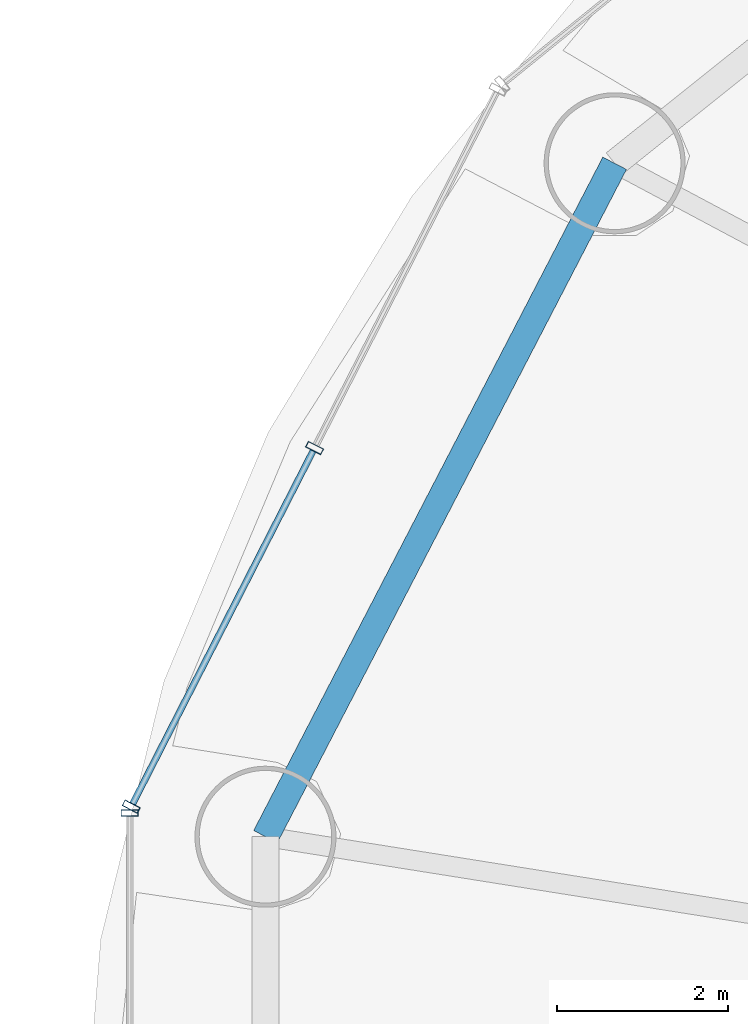
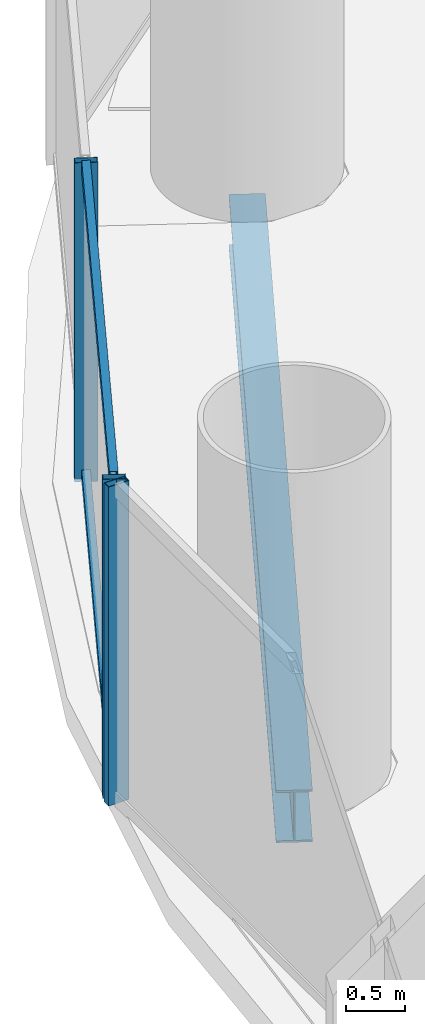
# One storey, part 8 of 29: 5 members, 1 beam, 2 elements without a shape of their own.
"""IFC4 building model written with IfcOpenShell, lengths in metres."""

from ifc_helpers import new_model, si_unit, direction, frame, origin, origin_2d, place, context, subcontext, project, spatial, hollow_rectangle, i_section, extrude, source, transform, mapped, material, material_profile, profile_set, type_object, element, aggregate, save


model = new_model("IFC4")

# Units and contexts
model_context = context("Model", 3, precision=1e-05, world=origin(), true_north=direction((-0.2419218956, 0.970295726276)))
body_context = subcontext(model_context, "Body", "Model", "MODEL_VIEW")
ifc_project = project(units=[si_unit("LENGTHUNIT", "METRE"), si_unit("AREAUNIT", "SQUARE_METRE"), si_unit("VOLUMEUNIT", "CUBIC_METRE"), si_unit("PLANEANGLEUNIT", "RADIAN"), si_unit("MASSUNIT", "GRAM", prefix="KILO")], contexts=[model_context])

# Site, building, storey
site_placement = place(None, origin())
site = spatial("IfcSite", under=ifc_project, at=site_placement, CompositionType="ELEMENT")
building_placement = place(site_placement, origin())
building = spatial("IfcBuilding", under=site, at=building_placement, Name="Cobrevalo Terracotta Tower", CompositionType="ELEMENT")
storey_placement = place(building_placement, frame((0.0, 0.0, 67.199951171875)))
storey = spatial("IfcBuildingStorey", under=building, at=storey_placement, Name="L17", CompositionType="ELEMENT", Elevation=67.199951171875)

# Beam
ifc_material_1 = material(Name="Steel S355", Category="steel")
ifc_material_profile_1 = material_profile(ifc_material_1, i_section(OverallWidth=0.31201171875, OverallDepth=0.54296875, WebThickness=0.0126953125, FlangeThickness=0.020263671875, at=origin_2d()), Name="W 530x150")
ifc_profile_set_1 = profile_set([ifc_material_profile_1], Name="Steel S355")
beam_type = type_object("IfcBeamType", Name="Structural Spandrel W 530x150 (Steel S355)", PredefinedType="SPANDREL", material=ifc_profile_set_1)
beam_placement = place(storey_placement, frame((15.25927734375, 38.939208984375, -0.551513671875), z_axis=(-0.460285838799, -0.88777077368, 0.0), x_axis=(0.88777077368, -0.460285838799, 0.0)))
element("IfcBeam", 1, at=beam_placement, inside=storey, type_object=beam_type, Name="L17 perimeter ring spandrel 07", PredefinedType="SPANDREL", context=body_context, shape_type="SweptSolid", body=[
    extrude(i_section(OverallWidth=0.31201171875, OverallDepth=0.54296875, WebThickness=0.0126953125, FlangeThickness=0.020263671875, at=origin_2d()), origin(), (0.0, 0.0, 1.0), 8.8720703125),
])

# Curtain wall, members
ifc_material_2 = material(Name="Anodized aluminium", Category="aluminium")
curtain_wall_type = type_object("IfcCurtainWallType", Name="Lower-tower unitised acoustic low-E curtain wall CW-U1", PredefinedType="NOTDEFINED", material=ifc_material_2)
curtain_wall_1_placement = place(storey_placement, origin())
curtain_wall_1 = element("IfcCurtainWall", 2, at=curtain_wall_1_placement, inside=storey, type_object=curtain_wall_type, Name="L17 curtain wall CW-L17-S07", PredefinedType="NOTDEFINED")
ifc_material_profile_2 = material_profile(ifc_material_2, hollow_rectangle(XDim=0.074951171875, YDim=0.199951171875, WallThickness=0.0048828125, at=origin_2d()), Name="CWM 75x200")
ifc_profile_set_2 = profile_set([ifc_material_profile_2], Name="Anodized aluminium")
member_type_1 = type_object("IfcMemberType", Name="Lower/mid tower unitised mullion 75x200", PredefinedType="MULLION", material=ifc_profile_set_2)
shared_shape_1 = source(origin(), body_context, "Body", "SweptSolid", [
    extrude(hollow_rectangle(XDim=0.074951171875, YDim=0.199951171875, WallThickness=0.0048828125, at=origin_2d()), origin(), (0.0, 0.0, 1.0), 3.320068359375),
])
member_1_placement = place(storey_placement, frame((11.74951171875, 35.60888671875, 0.0), z_axis=(0.0, 0.0, 1.0), x_axis=(-0.455234136597, -0.890371765543, 0.0)))
member_1 = element("IfcMember", 3, at=member_1_placement, type_object=member_type_1, Name="CW-L17-S07 vertical mullion 02", PredefinedType="MULLION", context=body_context, shape_type="MappedRepresentation", body=[
    mapped(shared_shape_1, transform((0.0, 0.0, 0.0), scale=1.0)),
])
member_2_placement = place(storey_placement, frame((9.60498046875, 31.414306640625, 0.0), z_axis=(0.0, 0.0, 1.0), x_axis=(-0.455234136597, -0.890371765543, 0.0)))
member_2 = element("IfcMember", 4, at=member_2_placement, type_object=member_type_1, Name="CW-L17-S07 vertical mullion 03", PredefinedType="MULLION", context=body_context, shape_type="MappedRepresentation", body=[
    mapped(shared_shape_1, transform((0.0, 0.0, 0.0), scale=1.0)),
])

# Curtain wall, member
curtain_wall_2_placement = place(storey_placement, origin())
curtain_wall_2 = element("IfcCurtainWall", 5, at=curtain_wall_2_placement, inside=storey, type_object=curtain_wall_type, Name="L17 curtain wall CW-L17-S08", PredefinedType="NOTDEFINED")
member_3_placement = place(storey_placement, frame((9.586669921875, 31.3388671875, 0.0), z_axis=(0.0, 0.0, 1.0), x_axis=(0.0, -1.0, 0.0)))
member_3 = element("IfcMember", 6, at=member_3_placement, type_object=member_type_1, Name="CW-L17-S08 vertical mullion 01", PredefinedType="MULLION", context=body_context, shape_type="MappedRepresentation", body=[
    mapped(shared_shape_1, transform((0.0, 0.0, 0.0), scale=1.0)),
])
aggregate(curtain_wall_2, [member_3])

# Member
ifc_material_profile_3 = material_profile(ifc_material_2, hollow_rectangle(XDim=0.074951171875, YDim=0.14990234375, WallThickness=0.00439453125, at=origin_2d()), Name="CWT 75x150")
ifc_profile_set_3 = profile_set([ifc_material_profile_3], Name="Anodized aluminium")
member_type_2 = type_object("IfcMemberType", Name="Tower unitised aluminium transom 75x150", PredefinedType="USERDEFINED", material=ifc_profile_set_3)
shared_shape_2 = source(origin(), body_context, "Body", "SweptSolid", [
    extrude(hollow_rectangle(XDim=0.074951171875, YDim=0.14990234375, WallThickness=0.00439453125, at=origin_2d()), origin(), (0.0, 0.0, 1.0), 4.631103515625),
])
member_4_placement = place(storey_placement, frame((11.731201171875, 35.573486328125, 0.050048828125), z_axis=(-0.455208584993, -0.890384829245, 0.0), x_axis=(0.890384829245, -0.455208584993, 0.0)))
member_4 = element("IfcMember", 7, at=member_4_placement, type_object=member_type_2, Name="CW-L17-S07 transom B02-T1", ObjectType="TRANSOM", PredefinedType="USERDEFINED", context=body_context, shape_type="MappedRepresentation", body=[
    mapped(shared_shape_2, transform((0.0, 0.0, 0.0), scale=1.0)),
])

member_5_placement = place(storey_placement, frame((11.731201171875, 35.573486328125, 3.27001953125), z_axis=(-0.455208584993, -0.890384829245, 0.0), x_axis=(0.890384829245, -0.455208584993, 0.0)))
member_5 = element("IfcMember", 8, at=member_5_placement, type_object=member_type_2, Name="CW-L17-S07 transom B02-T2", ObjectType="TRANSOM", PredefinedType="USERDEFINED", context=body_context, shape_type="MappedRepresentation", body=[
    mapped(shared_shape_2, transform((0.0, 0.0, 0.0), scale=1.0)),
])

aggregate(curtain_wall_1, [member_1, member_2, member_4, member_5])

save(model, "model.ifc")
